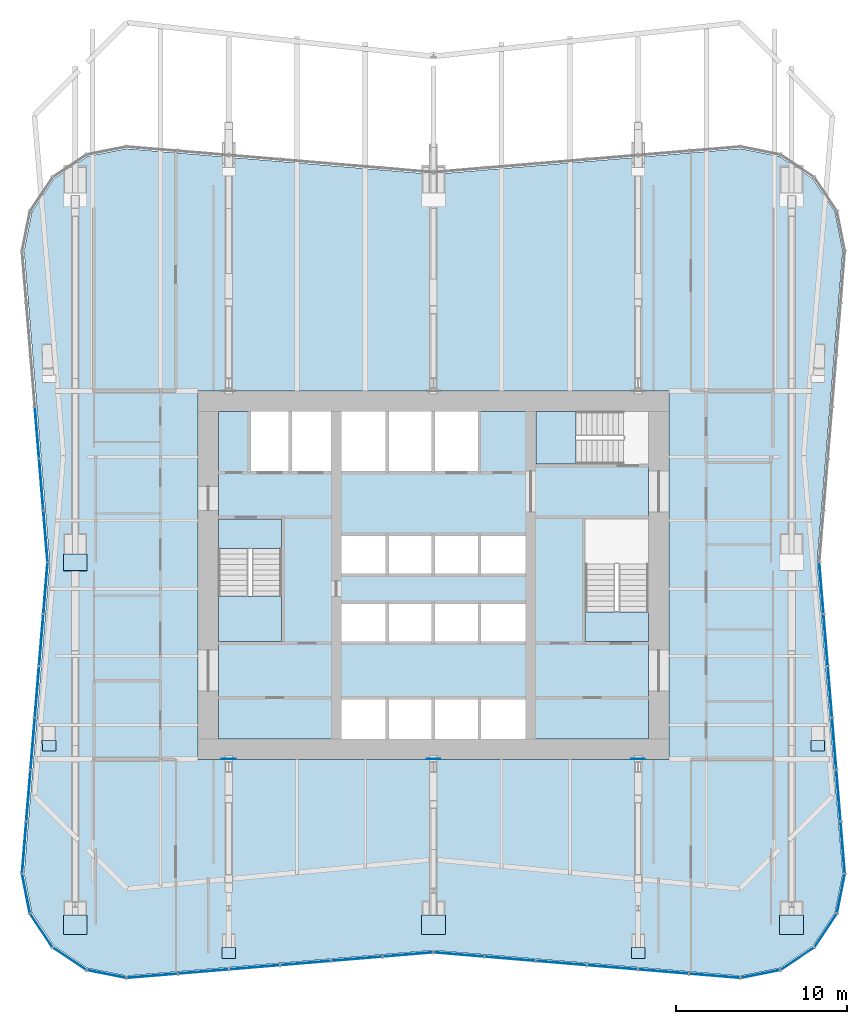
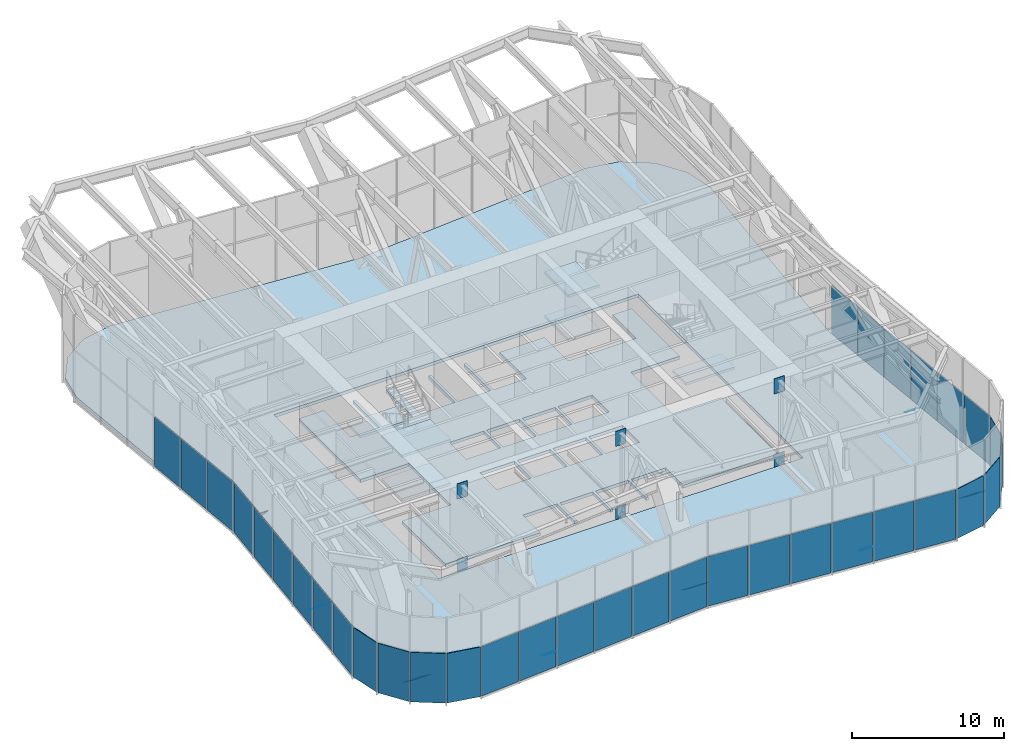
# One storey, part 10 of 17: 49 plates, 8 slabs, 8 elements without a shape of their own.
"""IFC4 building model written with IfcOpenShell, lengths in metres."""

from ifc_helpers import new_model, si_unit, direction, frame, origin, origin_2d, place, context, subcontext, project, spatial, polyline, rectangle, outline, extrude, material, layer, layer_set, type_object, element, aggregate, save


model = new_model("IFC4")

# Units and contexts
model_context = context("Model", 3, precision=1e-05, world=origin(), true_north=direction((0.0, 1.0)))
body_context = subcontext(model_context, "Body", "Model", "MODEL_VIEW")
ifc_project = project(units=[si_unit("LENGTHUNIT", "METRE"), si_unit("AREAUNIT", "SQUARE_METRE"), si_unit("VOLUMEUNIT", "CUBIC_METRE"), si_unit("PLANEANGLEUNIT", "RADIAN"), si_unit("MASSUNIT", "GRAM", prefix="KILO")], contexts=[model_context])

# Site, building, storey
site_placement = place(None, origin())
site = spatial("IfcSite", under=ifc_project, at=site_placement, CompositionType="ELEMENT")
building_placement = place(site_placement, origin())
building = spatial("IfcBuilding", under=site, at=building_placement, Name="Verdant Reach Tower", CompositionType="ELEMENT")
storey_placement = place(building_placement, frame((0.0, 0.0, 114.0)))
storey = spatial("IfcBuildingStorey", under=building, at=storey_placement, Name="L26 Plant", CompositionType="ELEMENT", Elevation=114.0)

# Stair, slabs
ifc_material_1 = material(Name="Concrete C40/50", Category="concrete")
stair_type = type_object("IfcStairType", Name="CO-STAIR", PredefinedType="HALF_TURN_STAIR", material=ifc_material_1)
stair_1_placement = place(storey_placement, origin())
stair_1 = element("IfcStair", 1, at=stair_1_placement, inside=storey, type_object=stair_type, Name="L26 Plant Exit stair 1", PredefinedType="HALF_TURN_STAIR")
ifc_layer_1 = layer(ifc_material_1, 0.199951171875)
ifc_layer_set_1 = layer_set([ifc_layer_1], Name="CO-STAIR-LANDING")
slab_type_1 = type_object("IfcSlabType", Name="CO-STAIR-LANDING", PredefinedType="LANDING", material=ifc_layer_set_1)
slab_1_placement = place(storey_placement, frame((0.0, 0.0, 1.550048828125)))
slab_1 = element("IfcSlab", 2, at=slab_1_placement, type_object=slab_type_1, Name="ST-1 landing 1", PredefinedType="LANDING", context=body_context, shape_type="SweptSolid", body=[
    extrude(outline(polyline([(-12.60009765625, 26.760009765625), (-12.60009765625, 24.10009765625), (-8.89990234375, 24.10009765625), (-8.89990234375, 26.760009765625), (-12.60009765625, 26.760009765625)])), origin(), (0.0, 0.0, 1.0), 0.199951171875),
])
slab_2_placement = place(storey_placement, frame((0.0, 0.0, 3.300048828125)))
slab_2 = element("IfcSlab", 3, at=slab_2_placement, type_object=slab_type_1, Name="ST-1 landing 2", PredefinedType="LANDING", context=body_context, shape_type="SweptSolid", body=[
    extrude(outline(polyline([(-12.60009765625, 31.300048828125), (-12.60009765625, 29.550048828125), (-8.89990234375, 29.550048828125), (-8.89990234375, 31.300048828125), (-12.60009765625, 31.300048828125)])), origin(), (0.0, 0.0, 1.0), 0.199951171875),
])
slab_3_placement = place(storey_placement, frame((0.0, 0.0, 5.050048828125)))
slab_3 = element("IfcSlab", 4, at=slab_3_placement, type_object=slab_type_1, Name="ST-1 landing 3", PredefinedType="LANDING", context=body_context, shape_type="SweptSolid", body=[
    extrude(outline(polyline([(-12.60009765625, 26.760009765625), (-12.60009765625, 24.10009765625), (-8.89990234375, 24.10009765625), (-8.89990234375, 26.760009765625), (-12.60009765625, 26.760009765625)])), origin(), (0.0, 0.0, 1.0), 0.199951171875),
])
aggregate(stair_1, [slab_1, slab_2, slab_3])

# Stair, slab
stair_2_placement = place(storey_placement, origin())
stair_2 = element("IfcStair", 5, at=stair_2_placement, inside=storey, type_object=stair_type, Name="L26 Plant Exit stair 2", PredefinedType="HALF_TURN_STAIR")
slab_4_placement = place(storey_placement, frame((0.0, 0.0, 3.300048828125)))
slab_4 = element("IfcSlab", 6, at=slab_4_placement, type_object=slab_type_1, Name="ST-2 landing 2", PredefinedType="LANDING", context=body_context, shape_type="SweptSolid", body=[
    extrude(outline(polyline([(12.60009765625, 24.10009765625), (12.60009765625, 25.85009765625), (8.89990234375, 25.85009765625), (8.89990234375, 24.10009765625), (12.60009765625, 24.10009765625)])), origin(), (0.0, 0.0, 1.0), 0.199951171875),
])
aggregate(stair_2, [slab_4])

# Stair, slabs
stair_3_placement = place(storey_placement, origin())
stair_3 = element("IfcStair", 7, at=stair_3_placement, inside=storey, type_object=stair_type, Name="L26 Plant Exit stair 3", PredefinedType="HALF_TURN_STAIR")
slab_5_placement = place(storey_placement, frame((0.0, 0.0, 1.550048828125)))
slab_5 = element("IfcSlab", 8, at=slab_5_placement, type_object=slab_type_1, Name="ST-3 landing 1", PredefinedType="LANDING", context=body_context, shape_type="SweptSolid", body=[
    extrude(outline(polyline([(8.360107421875, 37.60009765625), (6.0, 37.60009765625), (6.0, 34.5), (8.360107421875, 34.5), (8.360107421875, 37.60009765625)])), origin(), (0.0, 0.0, 1.0), 0.199951171875),
])
slab_6_placement = place(storey_placement, frame((0.0, 0.0, 5.050048828125)))
slab_6 = element("IfcSlab", 9, at=slab_6_placement, type_object=slab_type_1, Name="ST-3 landing 3", PredefinedType="LANDING", context=body_context, shape_type="SweptSolid", body=[
    extrude(outline(polyline([(8.360107421875, 37.60009765625), (6.0, 37.60009765625), (6.0, 34.5), (8.360107421875, 34.5), (8.360107421875, 37.60009765625)])), origin(), (0.0, 0.0, 1.0), 0.199951171875),
])
aggregate(stair_3, [slab_5, slab_6])

# Curtain wall, plates
ifc_material_2 = material(Name="Anodised aluminium", Category="aluminium")
curtain_wall_type = type_object("IfcCurtainWallType", Name="EN-CW SYSTEM PLANT", PredefinedType="NOTDEFINED", material=ifc_material_2)
curtain_wall_1_placement = place(storey_placement, origin())
curtain_wall_1 = element("IfcCurtainWall", 10, at=curtain_wall_1_placement, inside=storey, type_object=curtain_wall_type, Name="Curtain wall south-east corner, L26", PredefinedType="NOTDEFINED")
ifc_material_3 = material(Name="Bronze anodised aluminium solid panel", Category="aluminium")
ifc_layer_2 = layer(ifc_material_3, 0.0400390625)
ifc_layer_set_2 = layer_set([ifc_layer_2], Name="EN-PANEL SOLID")
plate_type_1 = type_object("IfcPlateType", Name="EN-PANEL SOLID", PredefinedType="CURTAIN_PANEL", material=ifc_layer_set_2)
plate_1_placement = place(storey_placement, frame((19.174072265625, 4.614013671875, -0.199951171875), z_axis=(0.0, 0.0, 1.0), x_axis=(0.980694678629, 0.195545256419, 0.0)))
plate_1 = element("IfcPlate", 11, at=plate_1_placement, type_object=plate_type_1, Name="Solid panel south-east corner 1.1, L26", PredefinedType="CURTAIN_PANEL", context=body_context, shape_type="SweptSolid", body=[
    extrude(rectangle(XDim=2.304931640625, YDim=0.0400390625, at=origin_2d()), origin(), (0.0, 0.0, 1.0), 3.97509765625),
])
plate_2_placement = place(storey_placement, frame((21.334228515625, 5.510009765625, -0.199951171875), z_axis=(0.0, 0.0, 1.0), x_axis=(0.83145208321, 0.555596466265, 0.0)))
plate_2 = element("IfcPlate", 12, at=plate_2_placement, type_object=plate_type_1, Name="Solid panel south-east corner 2.1, L26", PredefinedType="CURTAIN_PANEL", context=body_context, shape_type="SweptSolid", body=[
    extrude(rectangle(XDim=2.3115234375, YDim=0.0400390625, at=origin_2d()), origin(), (0.0, 0.0, 1.0), 3.97509765625),
])
plate_3_placement = place(storey_placement, frame((22.989990234375, 7.165771484375, -0.199951171875), z_axis=(0.0, 0.0, 1.0), x_axis=(0.555596466265, 0.83145208321, 0.0)))
plate_3 = element("IfcPlate", 13, at=plate_3_placement, type_object=plate_type_1, Name="Solid panel south-east corner 3.1, L26", PredefinedType="CURTAIN_PANEL", context=body_context, shape_type="SweptSolid", body=[
    extrude(rectangle(XDim=2.3115234375, YDim=0.0400390625, at=origin_2d()), origin(), (0.0, 0.0, 1.0), 3.97509765625),
])
plate_4_placement = place(storey_placement, frame((23.885986328125, 9.32568359375, -0.199951171875), z_axis=(0.0, 0.0, 1.0), x_axis=(0.195549132142, 0.980693905823, 0.0)))
plate_4 = element("IfcPlate", 14, at=plate_4_placement, type_object=plate_type_1, Name="Solid panel south-east corner 4.1, L26", PredefinedType="CURTAIN_PANEL", context=body_context, shape_type="SweptSolid", body=[
    extrude(rectangle(XDim=2.3046875, YDim=0.0400390625, at=origin_2d()), origin(), (0.0, 0.0, 1.0), 3.97509765625),
])
aggregate(curtain_wall_1, [plate_1, plate_2, plate_3, plate_4])

curtain_wall_2_placement = place(storey_placement, origin())
curtain_wall_2 = element("IfcCurtainWall", 15, at=curtain_wall_2_placement, inside=storey, type_object=curtain_wall_type, Name="Curtain wall east, L26", PredefinedType="NOTDEFINED")
plate_5_placement = place(storey_placement, frame((23.99365234375, 12.022216796875, -0.199951171875), z_axis=(0.0, 0.0, 1.0), x_axis=(-0.081541826124, 0.996669920582, 0.0)))
plate_5 = element("IfcPlate", 16, at=plate_5_placement, type_object=plate_type_1, Name="Solid panel east face part 1 1.1, L26", PredefinedType="CURTAIN_PANEL", context=body_context, shape_type="SweptSolid", body=[
    extrude(rectangle(XDim=2.992431640625, YDim=0.0400390625, at=origin_2d()), origin(), (0.0, 0.0, 1.0), 3.97509765625),
])
plate_6_placement = place(storey_placement, frame((23.74365234375, 15.072265625, -0.199951171875), z_axis=(0.0, 0.0, 1.0), x_axis=(-0.081915556724, 0.996639273542, 0.0)))
plate_6 = element("IfcPlate", 17, at=plate_6_placement, type_object=plate_type_1, Name="Solid panel east face part 1 2.1, L26", PredefinedType="CURTAIN_PANEL", context=body_context, shape_type="SweptSolid", body=[
    extrude(rectangle(XDim=2.975830078125, YDim=0.0400390625, at=origin_2d()), origin(), (0.0, 0.0, 1.0), 3.97509765625),
])
plate_7_placement = place(storey_placement, frame((23.49365234375, 18.114013671875, -0.199951171875), z_axis=(0.0, 0.0, 1.0), x_axis=(-0.081915556724, 0.996639273542, 0.0)))
plate_7 = element("IfcPlate", 18, at=plate_7_placement, type_object=plate_type_1, Name="Solid panel east face part 1 3.1, L26", PredefinedType="CURTAIN_PANEL", context=body_context, shape_type="SweptSolid", body=[
    extrude(rectangle(XDim=2.975830078125, YDim=0.0400390625, at=origin_2d()), origin(), (0.0, 0.0, 1.0), 3.97509765625),
])
plate_8_placement = place(storey_placement, frame((23.24365234375, 21.155517578125, -0.199951171875), z_axis=(0.0, 0.0, 1.0), x_axis=(-0.081915556724, 0.996639273542, 0.0)))
plate_8 = element("IfcPlate", 19, at=plate_8_placement, type_object=plate_type_1, Name="Solid panel east face part 1 4.1, L26", PredefinedType="CURTAIN_PANEL", context=body_context, shape_type="SweptSolid", body=[
    extrude(rectangle(XDim=2.975830078125, YDim=0.0400390625, at=origin_2d()), origin(), (0.0, 0.0, 1.0), 3.97509765625),
])
plate_9_placement = place(storey_placement, frame((22.99365234375, 24.197265625, -0.199951171875), z_axis=(0.0, 0.0, 1.0), x_axis=(-0.081915556724, 0.996639273542, 0.0)))
plate_9 = element("IfcPlate", 20, at=plate_9_placement, type_object=plate_type_1, Name="Solid panel east face part 1 5.1, L26", PredefinedType="CURTAIN_PANEL", context=body_context, shape_type="SweptSolid", body=[
    extrude(rectangle(XDim=2.975830078125, YDim=0.0400390625, at=origin_2d()), origin(), (0.0, 0.0, 1.0), 3.97509765625),
])
plate_10_placement = place(storey_placement, frame((22.743896484375, 27.234130859375, -0.199951171875), z_axis=(0.0, 0.0, 1.0), x_axis=(-0.08204657489, 0.996628496256, 0.0)))
plate_10 = element("IfcPlate", 21, at=plate_10_placement, type_object=plate_type_1, Name="Solid panel east face part 1 6.1, L26", PredefinedType="CURTAIN_PANEL", context=body_context, shape_type="SweptSolid", body=[
    extrude(rectangle(XDim=2.966064453125, YDim=0.0400390625, at=origin_2d()), origin(), (0.0, 0.0, 1.0), 3.97509765625),
])
aggregate(curtain_wall_2, [plate_5, plate_6, plate_7, plate_8, plate_9, plate_10])

curtain_wall_3_placement = place(storey_placement, origin())
curtain_wall_3 = element("IfcCurtainWall", 22, at=curtain_wall_3_placement, inside=storey, type_object=curtain_wall_type, Name="Curtain wall west, L26", PredefinedType="NOTDEFINED")
plate_11_placement = place(storey_placement, frame((-23.24365234375, 36.344482421875, -0.199951171875), z_axis=(0.0, 0.0, 1.0), x_axis=(0.081915556724, -0.996639273542, 0.0)))
plate_11 = element("IfcPlate", 23, at=plate_11_placement, type_object=plate_type_1, Name="Solid panel west face part 1 4.1, L26", PredefinedType="CURTAIN_PANEL", context=body_context, shape_type="SweptSolid", body=[
    extrude(rectangle(XDim=2.975830078125, YDim=0.0400390625, at=origin_2d()), origin(), (0.0, 0.0, 1.0), 3.97509765625),
])
plate_12_placement = place(storey_placement, frame((-22.99365234375, 33.302734375, -0.199951171875), z_axis=(0.0, 0.0, 1.0), x_axis=(0.081915556724, -0.996639273542, 0.0)))
plate_12 = element("IfcPlate", 24, at=plate_12_placement, type_object=plate_type_1, Name="Solid panel west face part 1 5.1, L26", PredefinedType="CURTAIN_PANEL", context=body_context, shape_type="SweptSolid", body=[
    extrude(rectangle(XDim=2.975830078125, YDim=0.0400390625, at=origin_2d()), origin(), (0.0, 0.0, 1.0), 3.97509765625),
])
plate_13_placement = place(storey_placement, frame((-22.743896484375, 30.265869140625, -0.199951171875), z_axis=(0.0, 0.0, 1.0), x_axis=(0.08204657489, -0.996628496256, 0.0)))
plate_13 = element("IfcPlate", 25, at=plate_13_placement, type_object=plate_type_1, Name="Solid panel west face part 1 6.1, L26", PredefinedType="CURTAIN_PANEL", context=body_context, shape_type="SweptSolid", body=[
    extrude(rectangle(XDim=2.966064453125, YDim=0.0400390625, at=origin_2d()), origin(), (0.0, 0.0, 1.0), 3.97509765625),
])
plate_14_placement = place(storey_placement, frame((-22.743896484375, 27.234130859375, -0.199951171875), z_axis=(0.0, 0.0, 1.0), x_axis=(-0.08204657489, -0.996628496256, 0.0)))
plate_14 = element("IfcPlate", 26, at=plate_14_placement, type_object=plate_type_1, Name="Solid panel west face part 2 1.1, L26", PredefinedType="CURTAIN_PANEL", context=body_context, shape_type="SweptSolid", body=[
    extrude(rectangle(XDim=2.966064453125, YDim=0.0400390625, at=origin_2d()), origin(), (0.0, 0.0, 1.0), 3.97509765625),
])
plate_15_placement = place(storey_placement, frame((-22.99365234375, 24.197265625, -0.199951171875), z_axis=(0.0, 0.0, 1.0), x_axis=(-0.081915556724, -0.996639273542, 0.0)))
plate_15 = element("IfcPlate", 27, at=plate_15_placement, type_object=plate_type_1, Name="Solid panel west face part 2 2.1, L26", PredefinedType="CURTAIN_PANEL", context=body_context, shape_type="SweptSolid", body=[
    extrude(rectangle(XDim=2.975830078125, YDim=0.0400390625, at=origin_2d()), origin(), (0.0, 0.0, 1.0), 3.97509765625),
])
plate_16_placement = place(storey_placement, frame((-23.24365234375, 21.155517578125, -0.199951171875), z_axis=(0.0, 0.0, 1.0), x_axis=(-0.081915556724, -0.996639273542, 0.0)))
plate_16 = element("IfcPlate", 28, at=plate_16_placement, type_object=plate_type_1, Name="Solid panel west face part 2 3.1, L26", PredefinedType="CURTAIN_PANEL", context=body_context, shape_type="SweptSolid", body=[
    extrude(rectangle(XDim=2.975830078125, YDim=0.0400390625, at=origin_2d()), origin(), (0.0, 0.0, 1.0), 3.97509765625),
])
plate_17_placement = place(storey_placement, frame((-23.49365234375, 18.114013671875, -0.199951171875), z_axis=(0.0, 0.0, 1.0), x_axis=(-0.081915556724, -0.996639273542, 0.0)))
plate_17 = element("IfcPlate", 29, at=plate_17_placement, type_object=plate_type_1, Name="Solid panel west face part 2 4.1, L26", PredefinedType="CURTAIN_PANEL", context=body_context, shape_type="SweptSolid", body=[
    extrude(rectangle(XDim=2.975830078125, YDim=0.0400390625, at=origin_2d()), origin(), (0.0, 0.0, 1.0), 3.97509765625),
])
plate_18_placement = place(storey_placement, frame((-23.74365234375, 15.072265625, -0.199951171875), z_axis=(0.0, 0.0, 1.0), x_axis=(-0.081915556724, -0.996639273542, 0.0)))
plate_18 = element("IfcPlate", 30, at=plate_18_placement, type_object=plate_type_1, Name="Solid panel west face part 2 5.1, L26", PredefinedType="CURTAIN_PANEL", context=body_context, shape_type="SweptSolid", body=[
    extrude(rectangle(XDim=2.975830078125, YDim=0.0400390625, at=origin_2d()), origin(), (0.0, 0.0, 1.0), 3.97509765625),
])
plate_19_placement = place(storey_placement, frame((-23.99365234375, 12.022216796875, -0.199951171875), z_axis=(0.0, 0.0, 1.0), x_axis=(-0.081541826124, -0.996669920582, 0.0)))
plate_19 = element("IfcPlate", 31, at=plate_19_placement, type_object=plate_type_1, Name="Solid panel west face part 2 6.1, L26", PredefinedType="CURTAIN_PANEL", context=body_context, shape_type="SweptSolid", body=[
    extrude(rectangle(XDim=2.992431640625, YDim=0.0400390625, at=origin_2d()), origin(), (0.0, 0.0, 1.0), 3.97509765625),
])
aggregate(curtain_wall_3, [plate_11, plate_12, plate_13, plate_14, plate_15, plate_16, plate_17, plate_18, plate_19])

curtain_wall_4_placement = place(storey_placement, origin())
curtain_wall_4 = element("IfcCurtainWall", 32, at=curtain_wall_4_placement, inside=storey, type_object=curtain_wall_type, Name="Curtain wall south-west corner, L26", PredefinedType="NOTDEFINED")
plate_20_placement = place(storey_placement, frame((-23.885986328125, 9.32568359375, -0.199951171875), z_axis=(0.0, 0.0, 1.0), x_axis=(0.195549132142, -0.980693905823, 0.0)))
plate_20 = element("IfcPlate", 33, at=plate_20_placement, type_object=plate_type_1, Name="Solid panel south-west corner 1.1, L26", PredefinedType="CURTAIN_PANEL", context=body_context, shape_type="SweptSolid", body=[
    extrude(rectangle(XDim=2.3046875, YDim=0.0400390625, at=origin_2d()), origin(), (0.0, 0.0, 1.0), 3.97509765625),
])
plate_21_placement = place(storey_placement, frame((-22.989990234375, 7.165771484375, -0.199951171875), z_axis=(0.0, 0.0, 1.0), x_axis=(0.555596466265, -0.83145208321, 0.0)))
plate_21 = element("IfcPlate", 34, at=plate_21_placement, type_object=plate_type_1, Name="Solid panel south-west corner 2.1, L26", PredefinedType="CURTAIN_PANEL", context=body_context, shape_type="SweptSolid", body=[
    extrude(rectangle(XDim=2.3115234375, YDim=0.0400390625, at=origin_2d()), origin(), (0.0, 0.0, 1.0), 3.97509765625),
])
plate_22_placement = place(storey_placement, frame((-21.334228515625, 5.510009765625, -0.199951171875), z_axis=(0.0, 0.0, 1.0), x_axis=(0.83145208321, -0.555596466265, 0.0)))
plate_22 = element("IfcPlate", 35, at=plate_22_placement, type_object=plate_type_1, Name="Solid panel south-west corner 3.1, L26", PredefinedType="CURTAIN_PANEL", context=body_context, shape_type="SweptSolid", body=[
    extrude(rectangle(XDim=2.3115234375, YDim=0.0400390625, at=origin_2d()), origin(), (0.0, 0.0, 1.0), 3.97509765625),
])
plate_23_placement = place(storey_placement, frame((-19.174072265625, 4.614013671875, -0.199951171875), z_axis=(0.0, 0.0, 1.0), x_axis=(0.980694678629, -0.195545256419, 0.0)))
plate_23 = element("IfcPlate", 36, at=plate_23_placement, type_object=plate_type_1, Name="Solid panel south-west corner 4.1, L26", PredefinedType="CURTAIN_PANEL", context=body_context, shape_type="SweptSolid", body=[
    extrude(rectangle(XDim=2.304931640625, YDim=0.0400390625, at=origin_2d()), origin(), (0.0, 0.0, 1.0), 3.97509765625),
])
aggregate(curtain_wall_4, [plate_20, plate_21, plate_22, plate_23])

curtain_wall_5_placement = place(storey_placement, origin())
curtain_wall_5 = element("IfcCurtainWall", 37, at=curtain_wall_5_placement, inside=storey, type_object=curtain_wall_type, Name="Curtain wall south, L26", PredefinedType="NOTDEFINED")
plate_24_placement = place(storey_placement, frame((-16.49853515625, 4.50634765625, -0.199951171875), z_axis=(0.0, 0.0, 1.0), x_axis=(0.996577509664, 0.082663578629, 0.0)))
plate_24 = element("IfcPlate", 38, at=plate_24_placement, type_object=plate_type_1, Name="Solid panel south face part 1 1.1, L26", PredefinedType="CURTAIN_PANEL", context=body_context, shape_type="SweptSolid", body=[
    extrude(rectangle(XDim=2.950927734375, YDim=0.0400390625, at=origin_2d()), origin(), (0.0, 0.0, 1.0), 3.97509765625),
])
plate_25_placement = place(storey_placement, frame((-13.490234375, 4.75634765625, -0.199951171875), z_axis=(0.0, 0.0, 1.0), x_axis=(0.996545758244, 0.083045479859, 0.0)))
plate_25 = element("IfcPlate", 39, at=plate_25_placement, type_object=plate_type_1, Name="Solid panel south face part 1 2.1, L26", PredefinedType="CURTAIN_PANEL", context=body_context, shape_type="SweptSolid", body=[
    extrude(rectangle(XDim=2.934326171875, YDim=0.0400390625, at=origin_2d()), origin(), (0.0, 0.0, 1.0), 3.97509765625),
])
plate_26_placement = place(storey_placement, frame((-10.490234375, 5.00634765625, -0.199951171875), z_axis=(0.0, 0.0, 1.0), x_axis=(0.996545758244, 0.083045479859, 0.0)))
plate_26 = element("IfcPlate", 40, at=plate_26_placement, type_object=plate_type_1, Name="Solid panel south face part 1 3.1, L26", PredefinedType="CURTAIN_PANEL", context=body_context, shape_type="SweptSolid", body=[
    extrude(rectangle(XDim=2.934326171875, YDim=0.0400390625, at=origin_2d()), origin(), (0.0, 0.0, 1.0), 3.97509765625),
])
plate_27_placement = place(storey_placement, frame((-7.490234375, 5.25634765625, -0.199951171875), z_axis=(0.0, 0.0, 1.0), x_axis=(0.996545758244, 0.083045479859, 0.0)))
plate_27 = element("IfcPlate", 41, at=plate_27_placement, type_object=plate_type_1, Name="Solid panel south face part 1 4.1, L26", PredefinedType="CURTAIN_PANEL", context=body_context, shape_type="SweptSolid", body=[
    extrude(rectangle(XDim=2.934326171875, YDim=0.0400390625, at=origin_2d()), origin(), (0.0, 0.0, 1.0), 3.97509765625),
])
plate_28_placement = place(storey_placement, frame((-4.490234375, 5.50634765625, -0.199951171875), z_axis=(0.0, 0.0, 1.0), x_axis=(0.996545758244, 0.083045479859, 0.0)))
plate_28 = element("IfcPlate", 42, at=plate_28_placement, type_object=plate_type_1, Name="Solid panel south face part 1 5.1, L26", PredefinedType="CURTAIN_PANEL", context=body_context, shape_type="SweptSolid", body=[
    extrude(rectangle(XDim=2.934326171875, YDim=0.0400390625, at=origin_2d()), origin(), (0.0, 0.0, 1.0), 3.97509765625),
])
plate_29_placement = place(storey_placement, frame((-1.4951171875, 5.756103515625, -0.199951171875), z_axis=(0.0, 0.0, 1.0), x_axis=(0.996534372104, 0.083182000546, 0.0)))
plate_29 = element("IfcPlate", 43, at=plate_29_placement, type_object=plate_type_1, Name="Solid panel south face part 1 6.1, L26", PredefinedType="CURTAIN_PANEL", context=body_context, shape_type="SweptSolid", body=[
    extrude(rectangle(XDim=2.924560546875, YDim=0.0400390625, at=origin_2d()), origin(), (0.0, 0.0, 1.0), 3.97509765625),
])
plate_30_placement = place(storey_placement, frame((1.4951171875, 5.756103515625, -0.199951171875), z_axis=(0.0, 0.0, 1.0), x_axis=(0.996534372104, -0.083182000546, 0.0)))
plate_30 = element("IfcPlate", 44, at=plate_30_placement, type_object=plate_type_1, Name="Solid panel south face part 2 1.1, L26", PredefinedType="CURTAIN_PANEL", context=body_context, shape_type="SweptSolid", body=[
    extrude(rectangle(XDim=2.924560546875, YDim=0.0400390625, at=origin_2d()), origin(), (0.0, 0.0, 1.0), 3.97509765625),
])
plate_31_placement = place(storey_placement, frame((4.490234375, 5.50634765625, -0.199951171875), z_axis=(0.0, 0.0, 1.0), x_axis=(0.996545758244, -0.083045479859, 0.0)))
plate_31 = element("IfcPlate", 45, at=plate_31_placement, type_object=plate_type_1, Name="Solid panel south face part 2 2.1, L26", PredefinedType="CURTAIN_PANEL", context=body_context, shape_type="SweptSolid", body=[
    extrude(rectangle(XDim=2.934326171875, YDim=0.0400390625, at=origin_2d()), origin(), (0.0, 0.0, 1.0), 3.97509765625),
])
plate_32_placement = place(storey_placement, frame((7.490234375, 5.25634765625, -0.199951171875), z_axis=(0.0, 0.0, 1.0), x_axis=(0.996545758244, -0.083045479859, 0.0)))
plate_32 = element("IfcPlate", 46, at=plate_32_placement, type_object=plate_type_1, Name="Solid panel south face part 2 3.1, L26", PredefinedType="CURTAIN_PANEL", context=body_context, shape_type="SweptSolid", body=[
    extrude(rectangle(XDim=2.934326171875, YDim=0.0400390625, at=origin_2d()), origin(), (0.0, 0.0, 1.0), 3.97509765625),
])
plate_33_placement = place(storey_placement, frame((10.490234375, 5.00634765625, -0.199951171875), z_axis=(0.0, 0.0, 1.0), x_axis=(0.996545758244, -0.083045479859, 0.0)))
plate_33 = element("IfcPlate", 47, at=plate_33_placement, type_object=plate_type_1, Name="Solid panel south face part 2 4.1, L26", PredefinedType="CURTAIN_PANEL", context=body_context, shape_type="SweptSolid", body=[
    extrude(rectangle(XDim=2.934326171875, YDim=0.0400390625, at=origin_2d()), origin(), (0.0, 0.0, 1.0), 3.97509765625),
])
plate_34_placement = place(storey_placement, frame((13.490234375, 4.75634765625, -0.199951171875), z_axis=(0.0, 0.0, 1.0), x_axis=(0.996545758244, -0.083045479859, 0.0)))
plate_34 = element("IfcPlate", 48, at=plate_34_placement, type_object=plate_type_1, Name="Solid panel south face part 2 5.1, L26", PredefinedType="CURTAIN_PANEL", context=body_context, shape_type="SweptSolid", body=[
    extrude(rectangle(XDim=2.934326171875, YDim=0.0400390625, at=origin_2d()), origin(), (0.0, 0.0, 1.0), 3.97509765625),
])
plate_35_placement = place(storey_placement, frame((16.49853515625, 4.50634765625, -0.199951171875), z_axis=(0.0, 0.0, 1.0), x_axis=(0.996577509664, -0.082663578629, 0.0)))
plate_35 = element("IfcPlate", 49, at=plate_35_placement, type_object=plate_type_1, Name="Solid panel south face part 2 6.1, L26", PredefinedType="CURTAIN_PANEL", context=body_context, shape_type="SweptSolid", body=[
    extrude(rectangle(XDim=2.950927734375, YDim=0.0400390625, at=origin_2d()), origin(), (0.0, 0.0, 1.0), 3.97509765625),
])
aggregate(curtain_wall_5, [plate_24, plate_25, plate_26, plate_27, plate_28, plate_29, plate_30, plate_31, plate_32, plate_33, plate_34, plate_35])

# Plates
ifc_material_4 = material(Name="Steel S460", Category="steel")
ifc_layer_3 = layer(ifc_material_4, 0.030029296875)
ifc_layer_set_3 = layer_set([ifc_layer_3], Name="ST-PLATE-CASTIN30")
plate_type_2 = type_object("IfcPlateType", Name="ST-PLATE-CASTIN30", PredefinedType="SHEET", material=ifc_layer_set_3)
plate_36_placement = place(storey_placement, frame((-12.0, 17.215087890625, -0.19287109375), z_axis=(0.0, 0.0, 1.0), x_axis=(1.0, 0.0, 0.0)))
element("IfcPlate", 50, at=plate_36_placement, inside=storey, type_object=plate_type_2, Name="CAST-IN PLATE, outrigger truss C south bottom chord, L26 Plant", PredefinedType="SHEET", context=body_context, shape_type="SweptSolid", body=[
    extrude(rectangle(XDim=0.800048828125, YDim=0.030029296875, at=origin_2d()), origin(), (0.0, 0.0, 1.0), 1.199951171875),
])
plate_37_placement = place(storey_placement, frame((-12.0, 17.215087890625, 5.85595703125), z_axis=(0.0, 0.0, 1.0), x_axis=(1.0, 0.0, 0.0)))
element("IfcPlate", 51, at=plate_37_placement, inside=storey, type_object=plate_type_2, Name="CAST-IN PLATE, outrigger truss C south top chord, L26 Plant", PredefinedType="SHEET", context=body_context, shape_type="SweptSolid", body=[
    extrude(rectangle(XDim=0.800048828125, YDim=0.030029296875, at=origin_2d()), origin(), (0.0, 0.0, 1.0), 1.214111328125),
])
plate_38_placement = place(storey_placement, frame((0.0, 17.215087890625, -0.19287109375), z_axis=(0.0, 0.0, 1.0), x_axis=(1.0, 0.0, 0.0)))
element("IfcPlate", 52, at=plate_38_placement, inside=storey, type_object=plate_type_2, Name="CAST-IN PLATE, outrigger truss D south bottom chord, L26 Plant", PredefinedType="SHEET", context=body_context, shape_type="SweptSolid", body=[
    extrude(rectangle(XDim=0.800048828125, YDim=0.030029296875, at=origin_2d()), origin(), (0.0, 0.0, 1.0), 1.199951171875),
])
plate_39_placement = place(storey_placement, frame((0.0, 17.215087890625, 5.85595703125), z_axis=(0.0, 0.0, 1.0), x_axis=(1.0, 0.0, 0.0)))
element("IfcPlate", 53, at=plate_39_placement, inside=storey, type_object=plate_type_2, Name="CAST-IN PLATE, outrigger truss D south top chord, L26 Plant", PredefinedType="SHEET", context=body_context, shape_type="SweptSolid", body=[
    extrude(rectangle(XDim=0.800048828125, YDim=0.030029296875, at=origin_2d()), origin(), (0.0, 0.0, 1.0), 1.214111328125),
])
plate_40_placement = place(storey_placement, frame((12.0, 17.215087890625, -0.19287109375), z_axis=(0.0, 0.0, 1.0), x_axis=(1.0, 0.0, 0.0)))
element("IfcPlate", 54, at=plate_40_placement, inside=storey, type_object=plate_type_2, Name="CAST-IN PLATE, outrigger truss E south bottom chord, L26 Plant", PredefinedType="SHEET", context=body_context, shape_type="SweptSolid", body=[
    extrude(rectangle(XDim=0.800048828125, YDim=0.030029296875, at=origin_2d()), origin(), (0.0, 0.0, 1.0), 1.199951171875),
])
plate_41_placement = place(storey_placement, frame((12.0, 17.215087890625, 5.85595703125), z_axis=(0.0, 0.0, 1.0), x_axis=(1.0, 0.0, 0.0)))
element("IfcPlate", 55, at=plate_41_placement, inside=storey, type_object=plate_type_2, Name="CAST-IN PLATE, outrigger truss E south top chord, L26 Plant", PredefinedType="SHEET", context=body_context, shape_type="SweptSolid", body=[
    extrude(rectangle(XDim=0.800048828125, YDim=0.030029296875, at=origin_2d()), origin(), (0.0, 0.0, 1.0), 1.214111328125),
])
ifc_layer_4 = layer(ifc_material_4, 0.02001953125)
ifc_layer_set_4 = layer_set([ifc_layer_4], Name="ST-PLATE-END20")
plate_type_3 = type_object("IfcPlateType", Name="ST-PLATE-END20", PredefinedType="SHEET", material=ifc_layer_set_4)
for number, where, z_axis, x_axis, name in (
    (56, (21.0, 7.48828125, 0.4150390625), (0.0, 0.588171697675, 0.808736084303), (-1.0, 0.0, 0.0), "Cap plate, mega column south-east, L26 Plant"),
    (57, (0.0, 7.48828125, 0.4150390625), (0.0, 0.588171697675, 0.808736084303), (-1.0, 0.0, 0.0), "Cap plate, mega column south, L26 Plant"),
    (58, (-21.0, 7.48828125, 0.4150390625), (0.0, 0.588171697675, 0.808736084303), (-1.0, 0.0, 0.0), "Cap plate, mega column south-west, L26 Plant"),
    (59, (-21.0, 28.735595703125, 0.503173828125), (0.0, 0.719191390085, 0.694812020929), (-1.0, 0.0, 0.0), "Cap plate, mega column west, L26 Plant"),
):
    element("IfcPlate", number, at=place(storey_placement, frame(where, z_axis=z_axis, x_axis=x_axis)), inside=storey, type_object=plate_type_3, Name=name, PredefinedType="SHEET", context=body_context, shape_type="SweptSolid", body=[
        extrude(rectangle(XDim=1.39990234375, YDim=1.39990234375, at=origin_2d()), origin(), (0.0, 0.0, 1.0), 0.02001953125),
    ])
for number, where, z_axis, x_axis, name in (
    (60, (-12.0, 5.838623046875, 0.23681640625), (0.0, 0.57428210862, 0.81865747399), (-1.0, 0.0, 0.0), "Cap plate, perimeter column south 1, L26 Plant"),
    (61, (12.0, 5.838623046875, 0.23681640625), (0.0, 0.57428210862, 0.81865747399), (-1.0, 0.0, 0.0), "Cap plate, perimeter column south 2, L26 Plant"),
    (62, (22.533447265625, 17.987060546875, 0.271484375), (0.012145549911, 0.643714145309, 0.765169644423), (-0.999822048224, 0.018864566948, 0.0), "Cap plate, perimeter column east 1, L26 Plant"),
    (63, (-22.533447265625, 17.987060546875, 0.271484375), (-0.012145549911, 0.643714145309, 0.765169644423), (-0.999822048224, -0.018864566948, 0.0), "Cap plate, perimeter column west 1, L26 Plant"),
):
    element("IfcPlate", number, at=place(storey_placement, frame(where, z_axis=z_axis, x_axis=x_axis)), inside=storey, type_object=plate_type_3, Name=name, PredefinedType="SHEET", context=body_context, shape_type="SweptSolid", body=[
        extrude(rectangle(XDim=0.800048828125, YDim=0.800048828125, at=origin_2d()), origin(), (0.0, 0.0, 1.0), 0.02001953125),
    ])

# Slabs
ifc_material_5 = material(Name="Concrete C35/45", Category="concrete")
ifc_layer_5 = layer(ifc_material_5, 0.25)
ifc_layer_set_5 = layer_set([ifc_layer_5], Name="ST-SLAB-250")
slab_type_2 = type_object("IfcSlabType", Name="ST-SLAB-250", PredefinedType="FLOOR", material=ifc_layer_set_5)
slab_7_placement = place(storey_placement, frame((0.0, 0.0, -0.25)))
element("IfcSlab", 64, at=slab_7_placement, inside=storey, type_object=slab_type_2, Name="Floor slab L26 Plant", PredefinedType="FLOOR", context=body_context, shape_type="SweptSolid", body=[
    extrude(outline(polyline([(0.0, 6.0), (-18.0, 4.5), (-20.296142578125, 4.956787109375), (-22.24267578125, 6.25732421875), (-23.543212890625, 8.203857421875), (-24.0, 10.5), (-22.5, 28.75), (-24.0, 47.0), (-23.543212890625, 49.296142578125), (-22.24267578125, 51.24267578125), (-20.296142578125, 52.543212890625), (-18.0, 53.0), (0.0, 51.5), (18.0, 53.0), (20.296142578125, 52.543212890625), (22.24267578125, 51.24267578125), (23.543212890625, 49.296142578125), (24.0, 47.0), (22.5, 28.75), (24.0, 10.5), (23.543212890625, 8.203857421875), (22.24267578125, 6.25732421875), (20.296142578125, 4.956787109375), (18.0, 4.5), (0.0, 6.0)]), holes=[polyline([(13.800048828125, 38.800048828125), (-13.800048828125, 38.800048828125), (-13.800048828125, 17.199951171875), (13.800048828125, 17.199951171875), (13.800048828125, 38.800048828125)])]), origin(), (0.0, 0.0, 1.0), 0.25),
])
slab_8_placement = place(storey_placement, frame((0.0, 0.0, -0.25)))
element("IfcSlab", 65, at=slab_8_placement, inside=storey, type_object=slab_type_2, Name="Core floor slab L26 Plant", PredefinedType="FLOOR", context=body_context, shape_type="SweptSolid", body=[
    extrude(outline(polyline([(12.60009765625, 18.39990234375), (5.39990234375, 18.39990234375), (5.39990234375, 20.699951171875), (2.800048828125, 20.699951171875), (2.800048828125, 18.39990234375), (2.60009765625, 18.39990234375), (2.60009765625, 20.699951171875), (0.10009765625, 20.699951171875), (0.10009765625, 18.39990234375), (-0.10009765625, 18.39990234375), (-0.10009765625, 20.699951171875), (-2.60009765625, 20.699951171875), (-2.60009765625, 18.39990234375), (-2.800048828125, 18.39990234375), (-2.800048828125, 20.699951171875), (-5.39990234375, 20.699951171875), (-5.39990234375, 18.39990234375), (-12.60009765625, 18.39990234375), (-12.60009765625, 24.10009765625), (-8.89990234375, 24.10009765625), (-8.89990234375, 29.548095703125), (-12.60009765625, 29.548095703125), (-12.60009765625, 37.60009765625), (-10.699951171875, 37.60009765625), (-10.699951171875, 34.10009765625), (-8.5, 34.10009765625), (-8.5, 37.60009765625), (-8.300048828125, 37.60009765625), (-8.300048828125, 34.10009765625), (-6.0, 34.10009765625), (-6.0, 37.60009765625), (-5.39990234375, 37.60009765625), (-5.39990234375, 34.10009765625), (-2.800048828125, 34.10009765625), (-2.800048828125, 37.60009765625), (-2.60009765625, 37.60009765625), (-2.60009765625, 34.10009765625), (-0.10009765625, 34.10009765625), (-0.10009765625, 37.60009765625), (0.10009765625, 37.60009765625), (0.10009765625, 34.10009765625), (2.60009765625, 34.10009765625), (2.60009765625, 37.60009765625), (6.0, 37.60009765625), (6.0, 34.5), (11.14794921875, 34.5), (11.14794921875, 37.60009765625), (12.60009765625, 37.60009765625), (12.60009765625, 31.300048828125), (8.89990234375, 31.300048828125), (8.89990234375, 25.85205078125), (12.60009765625, 25.85205078125), (12.60009765625, 18.39990234375)]), holes=[polyline([(-2.800048828125, 24.10009765625), (-2.800048828125, 26.300048828125), (-5.39990234375, 26.300048828125), (-5.39990234375, 24.10009765625), (-2.800048828125, 24.10009765625)]), polyline([(-2.60009765625, 24.10009765625), (-0.10009765625, 24.10009765625), (-0.10009765625, 26.300048828125), (-2.60009765625, 26.300048828125), (-2.60009765625, 24.10009765625)]), polyline([(-2.800048828125, 28.10009765625), (-2.800048828125, 30.300048828125), (-5.39990234375, 30.300048828125), (-5.39990234375, 28.10009765625), (-2.800048828125, 28.10009765625)]), polyline([(-0.10009765625, 28.10009765625), (-0.10009765625, 30.300048828125), (-2.60009765625, 30.300048828125), (-2.60009765625, 28.10009765625), (-0.10009765625, 28.10009765625)]), polyline([(2.60009765625, 24.10009765625), (2.60009765625, 26.300048828125), (0.10009765625, 26.300048828125), (0.10009765625, 24.10009765625), (2.60009765625, 24.10009765625)]), polyline([(2.800048828125, 24.10009765625), (5.39990234375, 24.10009765625), (5.39990234375, 26.300048828125), (2.800048828125, 26.300048828125), (2.800048828125, 24.10009765625)]), polyline([(2.60009765625, 28.10009765625), (2.60009765625, 30.300048828125), (0.10009765625, 30.300048828125), (0.10009765625, 28.10009765625), (2.60009765625, 28.10009765625)]), polyline([(5.39990234375, 28.10009765625), (5.39990234375, 30.300048828125), (2.800048828125, 30.300048828125), (2.800048828125, 28.10009765625), (5.39990234375, 28.10009765625)])]), origin(), (0.0, 0.0, 1.0), 0.25),
])

save(model, "model.ifc")
